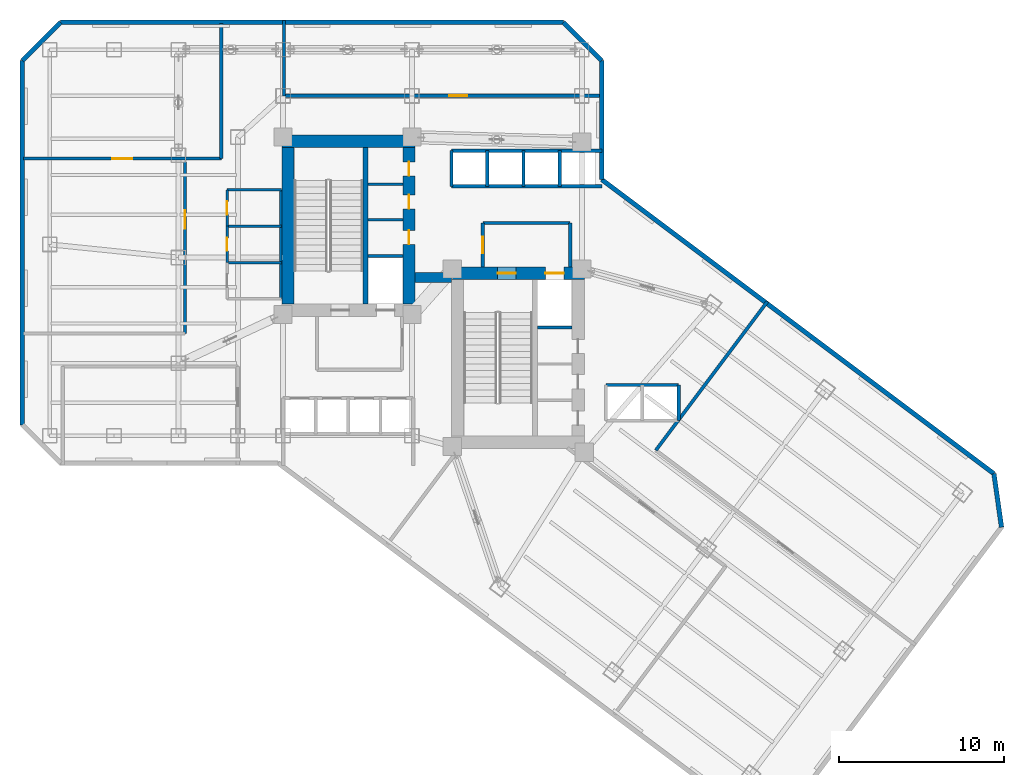
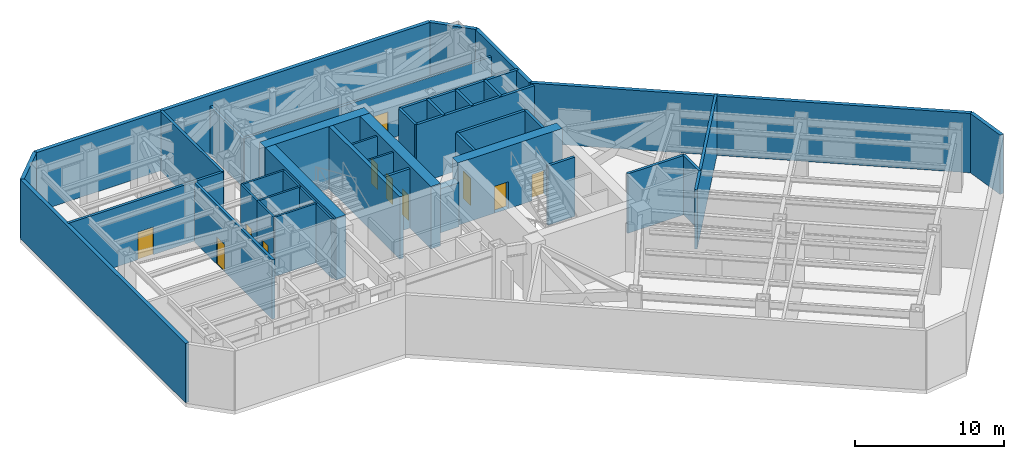
# One storey, part 9 of 14: 40 walls, 11 doors, 11 openings.
"""IFC4 building model written with IfcOpenShell, lengths in metres."""

from ifc_helpers import new_model, si_unit, direction, frame, frame_2d, origin, place, context, subcontext, project, spatial, rectangle, extrude, material, layer, layer_set, type_object, element, fill, save


model = new_model("IFC4")

# Units and contexts
model_context = context("Model", 3, precision=1e-05, world=origin(), true_north=direction((0.0, 1.0)))
body_context = subcontext(model_context, "Body", "Model", "MODEL_VIEW")
ifc_project = project(units=[si_unit("LENGTHUNIT", "METRE"), si_unit("AREAUNIT", "SQUARE_METRE"), si_unit("VOLUMEUNIT", "CUBIC_METRE"), si_unit("PLANEANGLEUNIT", "RADIAN"), si_unit("MASSUNIT", "GRAM", prefix="KILO")], contexts=[model_context])

# Site, building, storey
site_placement = place(None, origin())
site = spatial("IfcSite", under=ifc_project, at=site_placement, CompositionType="ELEMENT")
building_placement = place(site_placement, origin())
building = spatial("IfcBuilding", under=site, at=building_placement, Name="Hatsunagi Terrace Concourse", CompositionType="ELEMENT")
storey_placement = place(building_placement, frame((0.0, 0.0, 91.35009765625)))
storey = spatial("IfcBuildingStorey", under=building, at=storey_placement, Name="L24", CompositionType="ELEMENT", Elevation=91.35009765625)

# Walls
ifc_material_1 = material(Name="Concrete Fc60", Category="concrete")
ifc_layer_1 = layer(ifc_material_1, 0.60009765625)
ifc_layer_set_1 = layer_set([ifc_layer_1], Name="BeltWall_Fc60_600")
wall_type_1 = type_object("IfcWallType", Name="BeltWall_Fc60_600", PredefinedType="SHEAR", material=ifc_layer_set_1)
wall_1_placement = place(storey_placement, frame((33.550048828125, 34.800048828125, 0.0), z_axis=(0.0, 0.0, 1.0), x_axis=(1.0, 0.0, 0.0)))
element("IfcWall", 1, at=wall_1_placement, inside=storey, type_object=wall_type_1, Name="Belt wall core link L24", PredefinedType="SHEAR", context=body_context, shape_type="SweptSolid", body=[
    extrude(rectangle(XDim=2.18994140625, YDim=0.60009765625, at=frame_2d((1.094970703125, 0.0))), origin(), (0.0, 0.0, 1.0), 3.599853515625),
])
ifc_material_2 = material(Name="Concrete Fc60", Category="concrete")
ifc_layer_2 = layer(ifc_material_2, 0.75)
ifc_layer_set_2 = layer_set([ifc_layer_2], Name="CoreShearWall_Fc60_750")
wall_type_2 = type_object("IfcWallType", Name="CoreShearWall_Fc60_750", PredefinedType="SHEAR", material=ifc_layer_set_2)
wall_2_placement = place(storey_placement, frame((25.469970703125, 43.044921875, 0.0), z_axis=(0.0, 0.0, 1.0), x_axis=(1.0, 0.0, 0.0)))
element("IfcWall", 2, at=wall_2_placement, inside=storey, type_object=wall_type_2, Name="Core A Shear Wall N L24", PredefinedType="SHEAR", context=body_context, shape_type="SweptSolid", body=[
    extrude(rectangle(XDim=8.080078125, YDim=0.75, at=frame_2d((4.0400390625, 0.0))), origin(), (0.0, 0.0, 1.0), 5.099853515625),
])
wall_3_placement = place(storey_placement, frame((25.844970703125, 33.18994140625, 0.0), z_axis=(0.0, 0.0, 1.0), x_axis=(0.0, 1.0, 0.0)))
element("IfcWall", 3, at=wall_3_placement, inside=storey, type_object=wall_type_2, Name="Core A Shear Wall W L24", PredefinedType="SHEAR", context=body_context, shape_type="SweptSolid", body=[
    extrude(rectangle(XDim=9.47998046875, YDim=0.75, at=frame_2d((4.739990234375, 0.0))), origin(), (0.0, 0.0, 1.0), 5.099853515625),
])

# Wall, openings, doors
wall_4_placement = place(storey_placement, frame((33.175048828125, 33.18994140625, 0.0), z_axis=(0.0, 0.0, 1.0), x_axis=(0.0, 1.0, 0.0)))
wall_4 = element("IfcWall", 4, at=wall_4_placement, inside=storey, type_object=wall_type_2, Name="Core A Shear Wall E L24", PredefinedType="SHEAR", context=body_context, shape_type="SweptSolid", body=[
    extrude(rectangle(XDim=9.47998046875, YDim=0.75, at=frame_2d((4.739990234375, 0.0))), origin(), (0.0, 0.0, 1.0), 5.099853515625),
])
opening_1_placement = place(wall_4_placement, frame((3.610107421875, 0.0, 0.0)))
opening_1 = element("IfcOpeningElement", 5, at=opening_1_placement, cuts=wall_4, Name="Opening DR-085", PredefinedType="OPENING", context=body_context, shape_type="SweptSolid", body=[
    extrude(rectangle(XDim=0.85009765625, YDim=2.080078125, at=frame_2d((0.425048828125, 1.0400390625))), frame((0.0, 0.385009765625, 0.0), z_axis=(0.0, -1.0, 0.0), x_axis=(1.0, 0.0, 0.0)), (0.0, 0.0, 1.0), 0.77001953125),
])
opening_2_placement = place(wall_4_placement, frame((5.760009765625, 0.0, 0.0)))
opening_2 = element("IfcOpeningElement", 6, at=opening_2_placement, cuts=wall_4, Name="Opening DR-085", PredefinedType="OPENING", context=body_context, shape_type="SweptSolid", body=[
    extrude(rectangle(XDim=0.85009765625, YDim=2.080078125, at=frame_2d((0.425048828125, 1.0400390625))), frame((0.0, 0.385009765625, 0.0), z_axis=(0.0, -1.0, 0.0), x_axis=(1.0, 0.0, 0.0)), (0.0, 0.0, 1.0), 0.77001953125),
])
opening_3_placement = place(wall_4_placement, frame((7.760009765625, 0.0, 0.0)))
opening_3 = element("IfcOpeningElement", 7, at=opening_3_placement, cuts=wall_4, Name="Opening DR-085", PredefinedType="OPENING", context=body_context, shape_type="SweptSolid", body=[
    extrude(rectangle(XDim=0.85009765625, YDim=2.080078125, at=frame_2d((0.425048828125, 1.0400390625))), frame((0.0, 0.385009765625, 0.0), z_axis=(0.0, -1.0, 0.0), x_axis=(1.0, 0.0, 0.0)), (0.0, 0.0, 1.0), 0.77001953125),
])
ifc_material_3 = material(Name="Painted steel", Category="steel")
door_type_1 = type_object("IfcDoorType", Name="RiserAccessDoor_EI60_850", OperationType="NOTDEFINED", PredefinedType="DOOR", material=ifc_material_3)
door_1_placement = place(opening_1_placement, origin())
door_1 = element("IfcDoor", 8, at=door_1_placement, inside=storey, type_object=door_type_1, Name="Core A Riser Door L24-1", OperationType="SINGLE_SWING_LEFT", OverallHeight=2.080078125, OverallWidth=0.85009765625, PredefinedType="DOOR", context=body_context, shape_type="SweptSolid", body=[
    extrude(rectangle(XDim=0.85009765625, YDim=2.080078125, at=frame_2d((0.425048828125, 1.0400390625))), frame((0.0, 0.02490234375, 0.0), z_axis=(0.0, -1.0, 0.0), x_axis=(1.0, 0.0, 0.0)), (0.0, 0.0, 1.0), 0.050048828125),
])
fill(opening_1, door_1)
door_2_placement = place(opening_2_placement, origin())
door_2 = element("IfcDoor", 9, at=door_2_placement, inside=storey, type_object=door_type_1, Name="Core A Riser Door L24-2", OperationType="SINGLE_SWING_LEFT", OverallHeight=2.080078125, OverallWidth=0.85009765625, PredefinedType="DOOR", context=body_context, shape_type="SweptSolid", body=[
    extrude(rectangle(XDim=0.85009765625, YDim=2.080078125, at=frame_2d((0.425048828125, 1.0400390625))), frame((0.0, 0.02490234375, 0.0), z_axis=(0.0, -1.0, 0.0), x_axis=(1.0, 0.0, 0.0)), (0.0, 0.0, 1.0), 0.050048828125),
])
fill(opening_2, door_2)
door_3_placement = place(opening_3_placement, origin())
door_3 = element("IfcDoor", 10, at=door_3_placement, inside=storey, type_object=door_type_1, Name="Core A Riser Door L24-3", OperationType="SINGLE_SWING_LEFT", OverallHeight=2.080078125, OverallWidth=0.85009765625, PredefinedType="DOOR", context=body_context, shape_type="SweptSolid", body=[
    extrude(rectangle(XDim=0.85009765625, YDim=2.080078125, at=frame_2d((0.425048828125, 1.0400390625))), frame((0.0, 0.02490234375, 0.0), z_axis=(0.0, -1.0, 0.0), x_axis=(1.0, 0.0, 0.0)), (0.0, 0.0, 1.0), 0.050048828125),
])
fill(opening_3, door_3)

wall_5_placement = place(storey_placement, frame((35.739990234375, 35.044921875, 0.0), z_axis=(0.0, 0.0, 1.0), x_axis=(1.0, 0.0, 0.0)))
wall_5 = element("IfcWall", 11, at=wall_5_placement, inside=storey, type_object=wall_type_2, Name="Core B Shear Wall N L24", PredefinedType="SHEAR", context=body_context, shape_type="SweptSolid", body=[
    extrude(rectangle(XDim=8.06005859375, YDim=0.75, at=frame_2d((4.030029296875, 0.0))), origin(), (0.0, 0.0, 1.0), 5.099853515625),
])
opening_4_placement = place(wall_5_placement, frame((2.81005859375, 0.0, 0.0)))
opening_4 = element("IfcOpeningElement", 12, at=opening_4_placement, cuts=wall_5, Name="Opening DR-110S", PredefinedType="OPENING", context=body_context, shape_type="SweptSolid", body=[
    extrude(rectangle(XDim=1.10009765625, YDim=2.199951171875, at=frame_2d((0.550048828125, 1.10009765625))), frame((0.0, 0.385009765625, 0.0), z_axis=(0.0, -1.0, 0.0), x_axis=(1.0, 0.0, 0.0)), (0.0, 0.0, 1.0), 0.77001953125),
])
opening_5_placement = place(wall_5_placement, frame((5.7099609375, 0.0, 0.0)))
opening_5 = element("IfcOpeningElement", 13, at=opening_5_placement, cuts=wall_5, Name="Opening LD-02", PredefinedType="OPENING", context=body_context, shape_type="SweptSolid", body=[
    extrude(rectangle(XDim=1.1201171875, YDim=2.14990234375, at=frame_2d((0.56005859375, 1.074951171875))), frame((0.0, 0.385009765625, 0.0), z_axis=(0.0, -1.0, 0.0), x_axis=(1.0, 0.0, 0.0)), (0.0, 0.0, 1.0), 0.77001953125),
])
ifc_material_4 = material(Name="Stainless steel", Category="steel")
door_type_2 = type_object("IfcDoorType", Name="LiftLandingDoor_LD02", OperationType="SLIDING_TO_RIGHT", PredefinedType="USERDEFINED", material=ifc_material_4)
door_4_placement = place(opening_5_placement, origin())
door_4 = element("IfcDoor", 14, at=door_4_placement, inside=storey, type_object=door_type_2, Name="Lift landing door FF-02 L24", ObjectType="SLIDING_LANDING_DOOR", OperationType="SLIDING_TO_RIGHT", OverallHeight=2.14990234375, OverallWidth=1.1201171875, PredefinedType="USERDEFINED", context=body_context, shape_type="SweptSolid", body=[
    extrude(rectangle(XDim=1.1201171875, YDim=2.14990234375, at=frame_2d((0.56005859375, 1.074951171875))), frame((0.0, 0.02490234375, 0.0), z_axis=(0.0, -1.0, 0.0), x_axis=(1.0, 0.0, 0.0)), (0.0, 0.0, 1.0), 0.050048828125),
])
fill(opening_5, door_4)
ifc_material_5 = material(Name="Painted steel", Category="steel")
door_type_3 = type_object("IfcDoorType", Name="StairFireDoor_EI60_1100", OperationType="NOTDEFINED", PredefinedType="DOOR", material=ifc_material_5)
door_5_placement = place(opening_4_placement, origin())
door_5 = element("IfcDoor", 15, at=door_5_placement, inside=storey, type_object=door_type_3, Name="Stair ST-B Exit Door L24", OperationType="SINGLE_SWING_RIGHT", OverallHeight=2.199951171875, OverallWidth=1.10009765625, PredefinedType="DOOR", context=body_context, shape_type="SweptSolid", body=[
    extrude(rectangle(XDim=1.10009765625, YDim=2.199951171875, at=frame_2d((0.550048828125, 1.10009765625))), frame((0.0, 0.02490234375, 0.0), z_axis=(0.0, -1.0, 0.0), x_axis=(1.0, 0.0, 0.0)), (0.0, 0.0, 1.0), 0.050048828125),
])
fill(opening_4, door_5)

# Walls
ifc_material_6 = material(Name="Concrete Fc48", Category="concrete")
ifc_layer_3 = layer(ifc_material_6, 0.300048828125)
ifc_layer_set_3 = layer_set([ifc_layer_3], Name="CoreStairDivider_Fc48_300")
wall_type_3 = type_object("IfcWallType", Name="CoreStairDivider_Fc48_300", PredefinedType="SHEAR", material=ifc_layer_set_3)
wall_6_placement = place(storey_placement, frame((30.5400390625, 33.18994140625, 0.0), z_axis=(0.0, 0.0, 1.0), x_axis=(0.0, 1.0, 0.0)))
element("IfcWall", 16, at=wall_6_placement, inside=storey, type_object=wall_type_3, Name="Core A Shear Wall D L24", PredefinedType="SHEAR", context=body_context, shape_type="SweptSolid", body=[
    extrude(rectangle(XDim=9.47998046875, YDim=0.300048828125, at=frame_2d((4.739990234375, 0.0))), origin(), (0.0, 0.0, 1.0), 5.099853515625),
])
ifc_material_7 = material(Name="Acoustic mineral board", Category="gypsum")
ifc_layer_4 = layer(ifc_material_7, 0.14990234375)
ifc_layer_set_4 = layer_set([ifc_layer_4], Name="PartitionWall_EI60_150")
wall_type_4 = type_object("IfcWallType", Name="PartitionWall_EI60_150", PredefinedType="PARTITIONING", material=ifc_layer_set_4)
for number, where, z_axis, x_axis, name in (
    (17, (30.699951171875, 38.300048828125, 0.0), (0.0, 0.0, 1.0), (1.0, 0.0, 0.0), "Interior Partition IW-L24-002"),
    (18, (30.699951171875, 40.449951171875, 0.0), (0.0, 0.0, 1.0), (1.0, 0.0, 0.0), "Interior Partition IW-L24-003"),
):
    element("IfcWall", number, at=place(storey_placement, frame(where, z_axis=z_axis, x_axis=x_axis)), inside=storey, type_object=wall_type_4, Name=name, PredefinedType="PARTITIONING", context=body_context, shape_type="SweptSolid", body=[
        extrude(rectangle(XDim=2.10009765625, YDim=0.14990234375, at=frame_2d((1.050048828125, 0.0))), origin(), (0.0, 0.0, 1.0), 4.849853515625),
    ])
wall_7_placement = place(storey_placement, frame((22.14990234375, 40.10009765625, 0.0), z_axis=(0.0, 0.0, 1.0), x_axis=(1.0, 0.0, 0.0)))
element("IfcWall", 19, at=wall_7_placement, inside=storey, type_object=wall_type_4, Name="Interior Partition IW-L24-032", PredefinedType="PARTITIONING", context=body_context, shape_type="SweptSolid", body=[
    extrude(rectangle(XDim=3.300048828125, YDim=0.14990234375, at=frame_2d((1.64990234375, 0.0))), origin(), (0.0, 0.0, 1.0), 4.849853515625),
])
wall_8_placement = place(storey_placement, frame((25.39990234375, 33.5, 0.0), z_axis=(0.0, 0.0, 1.0), x_axis=(0.0, 1.0, 0.0)))
element("IfcWall", 20, at=wall_8_placement, inside=storey, type_object=wall_type_4, Name="Interior Partition IW-L24-033", PredefinedType="PARTITIONING", context=body_context, shape_type="SweptSolid", body=[
    extrude(rectangle(XDim=6.60009765625, YDim=0.14990234375, at=frame_2d((3.300048828125, 0.0))), origin(), (0.0, 0.0, 1.0), 4.849853515625),
])
for number, where, z_axis, x_axis, name in (
    (21, (22.14990234375, 35.699951171875, 0.0), (0.0, 0.0, 1.0), (1.0, 0.0, 0.0), "Interior Partition IW-L24-034"),
    (22, (22.14990234375, 37.89990234375, 0.0), (0.0, 0.0, 1.0), (1.0, 0.0, 0.0), "Interior Partition IW-L24-035"),
):
    element("IfcWall", number, at=place(storey_placement, frame(where, z_axis=z_axis, x_axis=x_axis)), inside=storey, type_object=wall_type_4, Name=name, PredefinedType="PARTITIONING", context=body_context, shape_type="SweptSolid", body=[
        extrude(rectangle(XDim=3.300048828125, YDim=0.14990234375, at=frame_2d((1.64990234375, 0.0))), origin(), (0.0, 0.0, 1.0), 4.849853515625),
    ])

# Wall, opening, door
wall_9_placement = place(storey_placement, frame((22.14990234375, 35.699951171875, 0.0), z_axis=(0.0, 0.0, 1.0), x_axis=(0.0, 1.0, 0.0)))
wall_9 = element("IfcWall", 23, at=wall_9_placement, inside=storey, type_object=wall_type_4, Name="Interior Partition IW-L24-037", PredefinedType="PARTITIONING", context=body_context, shape_type="SweptSolid", body=[
    extrude(rectangle(XDim=2.199951171875, YDim=0.14990234375, at=frame_2d((1.10009765625, 0.0))), origin(), (0.0, 0.0, 1.0), 4.849853515625),
])
opening_6_placement = place(wall_9_placement, frame((0.699951171875, 0.0, 0.0)))
opening_6 = element("IfcOpeningElement", 24, at=opening_6_placement, cuts=wall_9, Name="Opening DR-080", PredefinedType="OPENING", context=body_context, shape_type="SweptSolid", body=[
    extrude(rectangle(XDim=0.800048828125, YDim=2.06005859375, at=frame_2d((0.39990234375, 1.030029296875))), frame((0.0, 0.0849609375, 0.0), z_axis=(0.0, -1.0, 0.0), x_axis=(1.0, 0.0, 0.0)), (0.0, 0.0, 1.0), 0.169921875),
])
ifc_material_8 = material(Name="Hardwood timber", Category="wood")
door_type_4 = type_object("IfcDoorType", Name="BathroomDoor_800", OperationType="NOTDEFINED", PredefinedType="DOOR", material=ifc_material_8)
door_6_placement = place(opening_6_placement, origin())
door_6 = element("IfcDoor", 25, at=door_6_placement, inside=storey, type_object=door_type_4, Name="Female Restroom Door L24", OperationType="SINGLE_SWING_RIGHT", OverallHeight=2.06005859375, OverallWidth=0.800048828125, PredefinedType="DOOR", context=body_context, shape_type="SweptSolid", body=[
    extrude(rectangle(XDim=0.800048828125, YDim=2.06005859375, at=frame_2d((0.39990234375, 1.030029296875))), frame((0.0, 0.02490234375, 0.0), z_axis=(0.0, -1.0, 0.0), x_axis=(1.0, 0.0, 0.0)), (0.0, 0.0, 1.0), 0.050048828125),
])
fill(opening_6, door_6)

wall_10_placement = place(storey_placement, frame((22.14990234375, 37.89990234375, 0.0), z_axis=(0.0, 0.0, 1.0), x_axis=(0.0, 1.0, 0.0)))
wall_10 = element("IfcWall", 26, at=wall_10_placement, inside=storey, type_object=wall_type_4, Name="Interior Partition IW-L24-038", PredefinedType="PARTITIONING", context=body_context, shape_type="SweptSolid", body=[
    extrude(rectangle(XDim=2.2001953125, YDim=0.14990234375, at=frame_2d((1.10009765625, 0.0))), origin(), (0.0, 0.0, 1.0), 4.849853515625),
])
opening_7_placement = place(wall_10_placement, frame((0.699951171875, 0.0, 0.0)))
opening_7 = element("IfcOpeningElement", 27, at=opening_7_placement, cuts=wall_10, Name="Opening DR-080", PredefinedType="OPENING", context=body_context, shape_type="SweptSolid", body=[
    extrude(rectangle(XDim=0.800048828125, YDim=2.06005859375, at=frame_2d((0.39990234375, 1.030029296875))), frame((0.0, 0.0849609375, 0.0), z_axis=(0.0, -1.0, 0.0), x_axis=(1.0, 0.0, 0.0)), (0.0, 0.0, 1.0), 0.169921875),
])
door_7_placement = place(opening_7_placement, origin())
door_7 = element("IfcDoor", 28, at=door_7_placement, inside=storey, type_object=door_type_4, Name="Male Restroom Door L24", OperationType="SINGLE_SWING_RIGHT", OverallHeight=2.06005859375, OverallWidth=0.800048828125, PredefinedType="DOOR", context=body_context, shape_type="SweptSolid", body=[
    extrude(rectangle(XDim=0.800048828125, YDim=2.06005859375, at=frame_2d((0.39990234375, 1.030029296875))), frame((0.0, 0.02490234375, 0.0), z_axis=(0.0, -1.0, 0.0), x_axis=(1.0, 0.0, 0.0)), (0.0, 0.0, 1.0), 0.050048828125),
])
fill(opening_7, door_7)

# Walls
ifc_material_9 = material(Name="Acoustic mineral board", Category="gypsum")
ifc_layer_5 = layer(ifc_material_9, 0.199951171875)
ifc_layer_set_5 = layer_set([ifc_layer_5], Name="ShaftWall_EI120_200")
wall_type_5 = type_object("IfcWallType", Name="ShaftWall_EI120_200", PredefinedType="STANDARD", material=ifc_layer_set_5)
wall_11_placement = place(storey_placement, frame((30.699951171875, 36.10009765625, 0.0), z_axis=(0.0, 0.0, 1.0), x_axis=(1.0, 0.0, 0.0)))
element("IfcWall", 29, at=wall_11_placement, inside=storey, type_object=wall_type_5, Name="Interior Partition IW-L24-001", PredefinedType="STANDARD", context=body_context, shape_type="SweptSolid", body=[
    extrude(rectangle(XDim=2.10009765625, YDim=0.199951171875, at=frame_2d((1.050048828125, 0.0))), origin(), (0.0, 0.0, 1.0), 4.849853515625),
])
wall_12_placement = place(storey_placement, frame((40.969970703125, 31.760009765625, 0.0), z_axis=(0.0, 0.0, 1.0), x_axis=(1.0, 0.0, 0.0)))
element("IfcWall", 30, at=wall_12_placement, inside=storey, type_object=wall_type_5, Name="Interior Partition IW-L24-004", PredefinedType="STANDARD", context=body_context, shape_type="SweptSolid", body=[
    extrude(rectangle(XDim=2.080078125, YDim=0.199951171875, at=frame_2d((1.0400390625, 0.0))), origin(), (0.0, 0.0, 1.0), 4.849853515625),
])
wall_13_placement = place(storey_placement, frame((37.64990234375, 38.10009765625, 0.0), z_axis=(0.0, 0.0, 1.0), x_axis=(1.0, 0.0, 0.0)))
element("IfcWall", 31, at=wall_13_placement, inside=storey, type_object=wall_type_5, Name="Interior Partition IW-L24-010", PredefinedType="STANDARD", context=body_context, shape_type="SweptSolid", body=[
    extrude(rectangle(XDim=5.300048828125, YDim=0.199951171875, at=frame_2d((2.64990234375, 0.0))), origin(), (0.0, 0.0, 1.0), 4.849853515625),
])
wall_14_placement = place(storey_placement, frame((42.949951171875, 35.419921875, 0.0), z_axis=(0.0, 0.0, 1.0), x_axis=(0.0, 1.0, 0.0)))
element("IfcWall", 32, at=wall_14_placement, inside=storey, type_object=wall_type_5, Name="Interior Partition IW-L24-011", PredefinedType="STANDARD", context=body_context, shape_type="SweptSolid", body=[
    extrude(rectangle(XDim=2.68017578125, YDim=0.199951171875, at=frame_2d((1.340087890625, 0.0))), origin(), (0.0, 0.0, 1.0), 4.849853515625),
])

# Wall, opening, door
wall_15_placement = place(storey_placement, frame((37.64990234375, 35.419921875, 0.0), z_axis=(0.0, 0.0, 1.0), x_axis=(0.0, 1.0, 0.0)))
wall_15 = element("IfcWall", 33, at=wall_15_placement, inside=storey, type_object=wall_type_5, Name="Interior Partition IW-L24-012", PredefinedType="STANDARD", context=body_context, shape_type="SweptSolid", body=[
    extrude(rectangle(XDim=2.68017578125, YDim=0.199951171875, at=frame_2d((1.340087890625, 0.0))), origin(), (0.0, 0.0, 1.0), 4.849853515625),
])
opening_8_placement = place(wall_15_placement, frame((0.840087890625, 0.0, 0.0)))
opening_8 = element("IfcOpeningElement", 34, at=opening_8_placement, cuts=wall_15, Name="Opening DR-100F", PredefinedType="OPENING", context=body_context, shape_type="SweptSolid", body=[
    extrude(rectangle(XDim=1.0, YDim=2.199951171875, at=frame_2d((0.5, 1.10009765625))), frame((0.0, 0.10986328125, 0.0), z_axis=(0.0, -1.0, 0.0), x_axis=(1.0, 0.0, 0.0)), (0.0, 0.0, 1.0), 0.219970703125),
])
ifc_material_10 = material(Name="Painted steel", Category="steel")
door_type_5 = type_object("IfcDoorType", Name="FireDoor_EI60_1000", OperationType="NOTDEFINED", PredefinedType="DOOR", material=ifc_material_10)
door_8_placement = place(opening_8_placement, origin())
door_8 = element("IfcDoor", 35, at=door_8_placement, inside=storey, type_object=door_type_5, Name="Firefighting Lobby B Door L24", OperationType="SINGLE_SWING_RIGHT", OverallHeight=2.199951171875, OverallWidth=1.0, PredefinedType="DOOR", context=body_context, shape_type="SweptSolid", body=[
    extrude(rectangle(XDim=1.0, YDim=2.199951171875, at=frame_2d((0.5, 1.10009765625))), frame((0.0, 0.02490234375, 0.0), z_axis=(0.0, -1.0, 0.0), x_axis=(1.0, 0.0, 0.0)), (0.0, 0.0, 1.0), 0.050048828125),
])
fill(opening_8, door_8)

# Walls
wall_16_placement = place(storey_placement, frame((35.75, 42.47998046875, 0.0), z_axis=(0.0, 0.0, 1.0), x_axis=(1.0, 0.0, 0.0)))
element("IfcWall", 36, at=wall_16_placement, inside=storey, type_object=wall_type_5, Name="Interior Partition IW-L24-020", PredefinedType="STANDARD", context=body_context, shape_type="SweptSolid", body=[
    extrude(rectangle(XDim=9.110107421875, YDim=0.199951171875, at=frame_2d((4.55517578125, 0.0))), origin(), (0.0, 0.0, 1.0), 4.849853515625),
])
for number, where, z_axis, x_axis, name in (
    (37, (35.75, 40.320068359375, 0.0), (0.0, 0.0, 1.0), (0.0, 1.0, 0.0), "Interior Partition IW-L24-021"),
    (38, (37.919921875, 40.320068359375, 0.0), (0.0, 0.0, 1.0), (0.0, 1.0, 0.0), "Interior Partition IW-L24-022"),
    (39, (40.1201171875, 40.320068359375, 0.0), (0.0, 0.0, 1.0), (0.0, 1.0, 0.0), "Interior Partition IW-L24-023"),
    (40, (42.320068359375, 40.320068359375, 0.0), (0.0, 0.0, 1.0), (0.0, 1.0, 0.0), "Interior Partition IW-L24-024"),
):
    element("IfcWall", number, at=place(storey_placement, frame(where, z_axis=z_axis, x_axis=x_axis)), inside=storey, type_object=wall_type_5, Name=name, PredefinedType="STANDARD", context=body_context, shape_type="SweptSolid", body=[
        extrude(rectangle(XDim=2.159912109375, YDim=0.199951171875, at=frame_2d((1.080078125, 0.0))), origin(), (0.0, 0.0, 1.0), 4.849853515625),
    ])
wall_17_placement = place(storey_placement, frame((35.75, 40.320068359375, 0.0), z_axis=(0.0, 0.0, 1.0), x_axis=(1.0, 0.0, 0.0)))
element("IfcWall", 41, at=wall_17_placement, inside=storey, type_object=wall_type_5, Name="Interior Partition IW-L24-025", PredefinedType="STANDARD", context=body_context, shape_type="SweptSolid", body=[
    extrude(rectangle(XDim=9.110107421875, YDim=0.199951171875, at=frame_2d((4.55517578125, 0.0))), origin(), (0.0, 0.0, 1.0), 4.849853515625),
])
wall_18_placement = place(storey_placement, frame((49.52001953125, 26.1201171875, 0.0), z_axis=(0.0, 0.0, 1.0), x_axis=(0.0, 1.0, 0.0)))
element("IfcWall", 42, at=wall_18_placement, inside=storey, type_object=wall_type_5, Name="Interior Partition IW-L24-028", PredefinedType="STANDARD", context=body_context, shape_type="SweptSolid", body=[
    extrude(rectangle(XDim=2.159912109375, YDim=0.199951171875, at=frame_2d((1.080078125, 0.0))), origin(), (0.0, 0.0, 1.0), 4.849853515625),
])
wall_19_placement = place(storey_placement, frame((45.1201171875, 28.280029296875, 0.0), z_axis=(0.0, 0.0, 1.0), x_axis=(1.0, 0.0, 0.0)))
element("IfcWall", 43, at=wall_19_placement, inside=storey, type_object=wall_type_5, Name="Interior Partition IW-L24-030", PredefinedType="STANDARD", context=body_context, shape_type="SweptSolid", body=[
    extrude(rectangle(XDim=4.39990234375, YDim=0.199951171875, at=frame_2d((2.199951171875, 0.0))), origin(), (0.0, 0.0, 1.0), 4.849853515625),
])
wall_20_placement = place(storey_placement, frame((48.139892578125, 24.320068359375, 0.0), z_axis=(0.0, 0.0, 1.0), x_axis=(0.600013876572, 0.799989592383, 0.0)))
element("IfcWall", 44, at=wall_20_placement, inside=storey, type_object=wall_type_5, Name="Interior Partition IW-L24-043", PredefinedType="STANDARD", context=body_context, shape_type="SweptSolid", body=[
    extrude(rectangle(XDim=11.260009765625, YDim=0.199951171875, at=frame_2d((5.6298828125, 0.0))), origin(), (0.0, 0.0, 1.0), 4.849853515625),
])

# Wall, opening, door
wall_21_placement = place(storey_placement, frame((9.800048828125, 42.0, 0.0), z_axis=(0.0, 0.0, 1.0), x_axis=(1.0, 0.0, 0.0)))
wall_21 = element("IfcWall", 45, at=wall_21_placement, inside=storey, type_object=wall_type_5, Name="Interior Partition IW-L24-044", PredefinedType="STANDARD", context=body_context, shape_type="SweptSolid", body=[
    extrude(rectangle(XDim=12.0, YDim=0.199951171875, at=frame_2d((6.0, 0.0))), origin(), (0.0, 0.0, 1.0), 4.849853515625),
])
opening_9_placement = place(wall_21_placement, frame((5.39990234375, 0.0, 0.0)))
opening_9 = element("IfcOpeningElement", 46, at=opening_9_placement, cuts=wall_21, Name="Opening DR-120", PredefinedType="OPENING", context=body_context, shape_type="SweptSolid", body=[
    extrude(rectangle(XDim=1.199951171875, YDim=2.25, at=frame_2d((0.60009765625, 1.125))), frame((0.0, 0.10986328125, 0.0), z_axis=(0.0, -1.0, 0.0), x_axis=(1.0, 0.0, 0.0)), (0.0, 0.0, 1.0), 0.219970703125),
])
ifc_material_11 = material(Name="Painted steel", Category="steel")
door_type_6 = type_object("IfcDoorType", Name="PlantDoubleDoor_1200", OperationType="DOUBLE_DOOR_SINGLE_SWING", PredefinedType="DOOR", material=ifc_material_11)
door_9_placement = place(opening_9_placement, origin())
door_9 = element("IfcDoor", 47, at=door_9_placement, inside=storey, type_object=door_type_6, Name="Air Handling Plant Room L24-AHU Door", OperationType="DOUBLE_DOOR_SINGLE_SWING", OverallHeight=2.25, OverallWidth=1.199951171875, PredefinedType="DOOR", context=body_context, shape_type="SweptSolid", body=[
    extrude(rectangle(XDim=1.199951171875, YDim=2.25, at=frame_2d((0.60009765625, 1.125))), frame((0.0, 0.02490234375, 0.0), z_axis=(0.0, -1.0, 0.0), x_axis=(1.0, 0.0, 0.0)), (0.0, 0.0, 1.0), 0.050048828125),
])
fill(opening_9, door_9)

# Wall
wall_22_placement = place(storey_placement, frame((21.800048828125, 42.0, 0.0), z_axis=(0.0, 0.0, 1.0), x_axis=(0.0, 1.0, 0.0)))
element("IfcWall", 48, at=wall_22_placement, inside=storey, type_object=wall_type_5, Name="Interior Partition IW-L24-045", PredefinedType="STANDARD", context=body_context, shape_type="SweptSolid", body=[
    extrude(rectangle(XDim=8.199951171875, YDim=0.199951171875, at=frame_2d((4.10009765625, 0.0))), origin(), (0.0, 0.0, 1.0), 4.849853515625),
])

# Wall, opening, door
wall_23_placement = place(storey_placement, frame((25.60009765625, 45.800048828125, 0.0), z_axis=(0.0, 0.0, 1.0), x_axis=(1.0, 0.0, 0.0)))
wall_23 = element("IfcWall", 49, at=wall_23_placement, inside=storey, type_object=wall_type_5, Name="Interior Partition IW-L24-046", PredefinedType="STANDARD", context=body_context, shape_type="SweptSolid", body=[
    extrude(rectangle(XDim=19.35986328125, YDim=0.199951171875, at=frame_2d((9.679931640625, 0.0))), origin(), (0.0, 0.0, 1.0), 3.94482421875),
])
opening_10_placement = place(wall_23_placement, frame((10.0048828125, 0.0, 0.0)))
opening_10 = element("IfcOpeningElement", 50, at=opening_10_placement, cuts=wall_23, Name="Opening DR-110F", PredefinedType="OPENING", context=body_context, shape_type="SweptSolid", body=[
    extrude(rectangle(XDim=1.10009765625, YDim=2.239990234375, at=frame_2d((0.550048828125, 1.1201171875))), frame((0.0, 0.10986328125, 0.0), z_axis=(0.0, -1.0, 0.0), x_axis=(1.0, 0.0, 0.0)), (0.0, 0.0, 1.0), 0.219970703125),
])
ifc_material_12 = material(Name="Painted steel", Category="steel")
door_type_7 = type_object("IfcDoorType", Name="FireDoor_EI60_1100", OperationType="NOTDEFINED", PredefinedType="DOOR", material=ifc_material_12)
door_10_placement = place(opening_10_placement, origin())
door_10 = element("IfcDoor", 51, at=door_10_placement, inside=storey, type_object=door_type_7, Name="Water Tank Room L24-WTK Door", OperationType="SINGLE_SWING_LEFT", OverallHeight=2.239990234375, OverallWidth=1.10009765625, PredefinedType="DOOR", context=body_context, shape_type="SweptSolid", body=[
    extrude(rectangle(XDim=1.10009765625, YDim=2.239990234375, at=frame_2d((0.550048828125, 1.1201171875))), frame((0.0, 0.02490234375, 0.0), z_axis=(0.0, -1.0, 0.0), x_axis=(1.0, 0.0, 0.0)), (0.0, 0.0, 1.0), 0.050048828125),
])
fill(opening_10, door_10)

# Wall
wall_24_placement = place(storey_placement, frame((25.60009765625, 45.800048828125, 0.0), z_axis=(0.0, 0.0, 1.0), x_axis=(0.0, 1.0, 0.0)))
element("IfcWall", 52, at=wall_24_placement, inside=storey, type_object=wall_type_5, Name="Interior Partition IW-L24-047", PredefinedType="STANDARD", context=body_context, shape_type="SweptSolid", body=[
    extrude(rectangle(XDim=4.56005859375, YDim=0.199951171875, at=frame_2d((2.280029296875, 0.0))), origin(), (0.0, 0.0, 1.0), 3.94482421875),
])

# Wall, opening, door
wall_25_placement = place(storey_placement, frame((19.60009765625, 31.39990234375, 0.0), z_axis=(0.0, 0.0, 1.0), x_axis=(0.0, 1.0, 0.0)))
wall_25 = element("IfcWall", 53, at=wall_25_placement, inside=storey, type_object=wall_type_5, Name="Interior Partition IW-L24-052", PredefinedType="STANDARD", context=body_context, shape_type="SweptSolid", body=[
    extrude(rectangle(XDim=10.400146484375, YDim=0.199951171875, at=frame_2d((5.2001953125, 0.0))), origin(), (0.0, 0.0, 1.0), 4.849853515625),
])
opening_11_placement = place(wall_25_placement, frame((6.35791015625, 0.0, 0.0)))
opening_11 = element("IfcOpeningElement", 54, at=opening_11_placement, cuts=wall_25, Name="Opening DR-110F", PredefinedType="OPENING", context=body_context, shape_type="SweptSolid", body=[
    extrude(rectangle(XDim=1.10009765625, YDim=2.239990234375, at=frame_2d((0.550048828125, 1.1201171875))), frame((0.0, 0.10986328125, 0.0), z_axis=(0.0, -1.0, 0.0), x_axis=(1.0, 0.0, 0.0)), (0.0, 0.0, 1.0), 0.219970703125),
])
door_11_placement = place(opening_11_placement, origin())
door_11 = element("IfcDoor", 55, at=door_11_placement, inside=storey, type_object=door_type_7, Name="Electrical Switch Room L24-ELR Door", OperationType="SINGLE_SWING_RIGHT", OverallHeight=2.239990234375, OverallWidth=1.10009765625, PredefinedType="DOOR", context=body_context, shape_type="SweptSolid", body=[
    extrude(rectangle(XDim=1.10009765625, YDim=2.239990234375, at=frame_2d((0.550048828125, 1.1201171875))), frame((0.0, 0.02490234375, 0.0), z_axis=(0.0, -1.0, 0.0), x_axis=(1.0, 0.0, 0.0)), (0.0, 0.0, 1.0), 0.050048828125),
])
fill(opening_11, door_11)

# Walls
ifc_material_13 = material(Name="Autoclaved Lightweight Concrete and Terracotta Cladding", Category="masonry")
ifc_layer_6 = layer(ifc_material_13, 0.280029296875)
ifc_layer_set_6 = layer_set([ifc_layer_6], Name="TerracottaSpandrelWall_280")
wall_type_6 = type_object("IfcWallType", Name="TerracottaSpandrelWall_280", PredefinedType="STANDARD", material=ifc_layer_set_6)
wall_26_placement = place(storey_placement, frame((44.860107421875, 40.72998046875, 0.0), z_axis=(0.0, 0.0, 1.0), x_axis=(0.800006902154, -0.599990797017, 0.0)))
element("IfcWall", 56, at=wall_26_placement, inside=storey, type_object=wall_type_6, Name="Exterior Spandrel Wall EW-L24-01", PredefinedType="STANDARD", context=body_context, shape_type="SweptSolid", body=[
    extrude(rectangle(XDim=29.7119140625, YDim=0.280029296875, at=frame_2d((14.85595703125, 0.0))), origin(), (0.0, 0.0, 1.0), 4.849853515625),
])
wall_27_placement = place(storey_placement, frame((68.6298828125, 22.903076171875, 0.0), z_axis=(0.0, 0.0, 1.0), x_axis=(0.141285803956, -0.989968848803, 0.0)))
element("IfcWall", 57, at=wall_27_placement, inside=storey, type_object=wall_type_6, Name="Exterior Spandrel Wall EW-L24-02", PredefinedType="STANDARD", context=body_context, shape_type="SweptSolid", body=[
    extrude(rectangle(XDim=3.278076171875, YDim=0.280029296875, at=frame_2d((1.63916015625, 0.0))), origin(), (0.0, 0.0, 1.0), 4.849853515625),
])
wall_28_placement = place(storey_placement, frame((9.739990234375, 25.85791015625, 0.0), z_axis=(0.0, 0.0, 1.0), x_axis=(0.0, 1.0, 0.0)))
element("IfcWall", 58, at=wall_28_placement, inside=storey, type_object=wall_type_6, Name="Exterior Spandrel Wall EW-L24-09", PredefinedType="STANDARD", context=body_context, shape_type="SweptSolid", body=[
    extrude(rectangle(XDim=22.083984375, YDim=0.280029296875, at=frame_2d((11.0419921875, 0.0))), origin(), (0.0, 0.0, 1.0), 4.849853515625),
])
wall_29_placement = place(storey_placement, frame((9.739990234375, 47.94189453125, 0.0), z_axis=(0.0, 0.0, 1.0), x_axis=(0.707106781187, 0.707106781187, 0.0)))
element("IfcWall", 59, at=wall_29_placement, inside=storey, type_object=wall_type_6, Name="Exterior Spandrel Wall EW-L24-10", PredefinedType="STANDARD", context=body_context, shape_type="SweptSolid", body=[
    extrude(rectangle(XDim=3.2783203125, YDim=0.280029296875, at=frame_2d((1.63916015625, 0.0))), origin(), (0.0, 0.0, 1.0), 4.849853515625),
])
wall_30_placement = place(storey_placement, frame((12.05810546875, 50.260009765625, 0.0), z_axis=(0.0, 0.0, 1.0), x_axis=(1.0, 0.0, 0.0)))
element("IfcWall", 60, at=wall_30_placement, inside=storey, type_object=wall_type_6, Name="Exterior Spandrel Wall EW-L24-11", PredefinedType="STANDARD", context=body_context, shape_type="SweptSolid", body=[
    extrude(rectangle(XDim=30.48388671875, YDim=0.280029296875, at=frame_2d((15.241943359375, 0.0))), origin(), (0.0, 0.0, 1.0), 4.849853515625),
])
wall_31_placement = place(storey_placement, frame((42.5419921875, 50.260009765625, 0.0), z_axis=(0.0, 0.0, 1.0), x_axis=(0.707106781187, -0.707106781187, 0.0)))
element("IfcWall", 61, at=wall_31_placement, inside=storey, type_object=wall_type_6, Name="Exterior Spandrel Wall EW-L24-12", PredefinedType="STANDARD", context=body_context, shape_type="SweptSolid", body=[
    extrude(rectangle(XDim=3.2783203125, YDim=0.280029296875, at=frame_2d((1.63916015625, 0.0))), origin(), (0.0, 0.0, 1.0), 4.849853515625),
])
wall_32_placement = place(storey_placement, frame((44.860107421875, 47.94189453125, 0.0), z_axis=(0.0, 0.0, 1.0), x_axis=(0.0, -1.0, 0.0)))
element("IfcWall", 62, at=wall_32_placement, inside=storey, type_object=wall_type_6, Name="Exterior Spandrel Wall EW-L24-13", PredefinedType="STANDARD", context=body_context, shape_type="SweptSolid", body=[
    extrude(rectangle(XDim=7.2119140625, YDim=0.280029296875, at=frame_2d((3.60595703125, 0.0))), origin(), (0.0, 0.0, 1.0), 4.849853515625),
])

save(model, "model.ifc")
